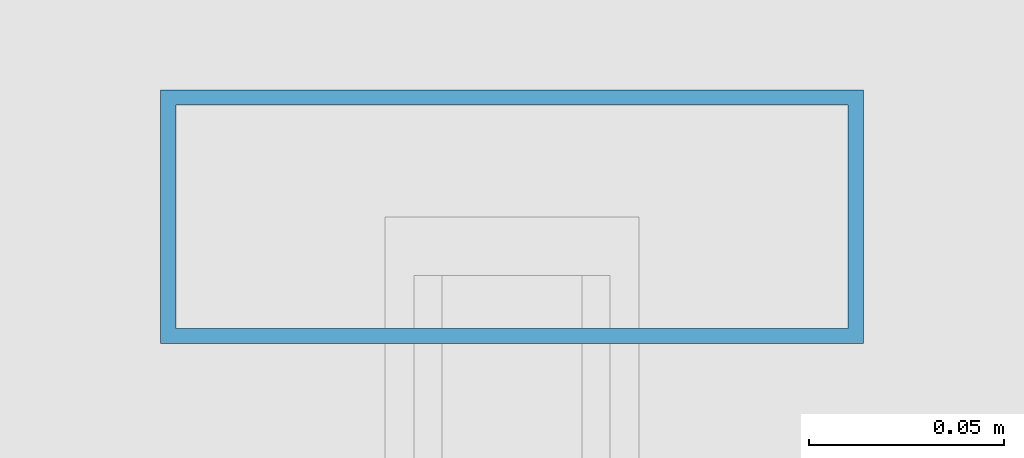
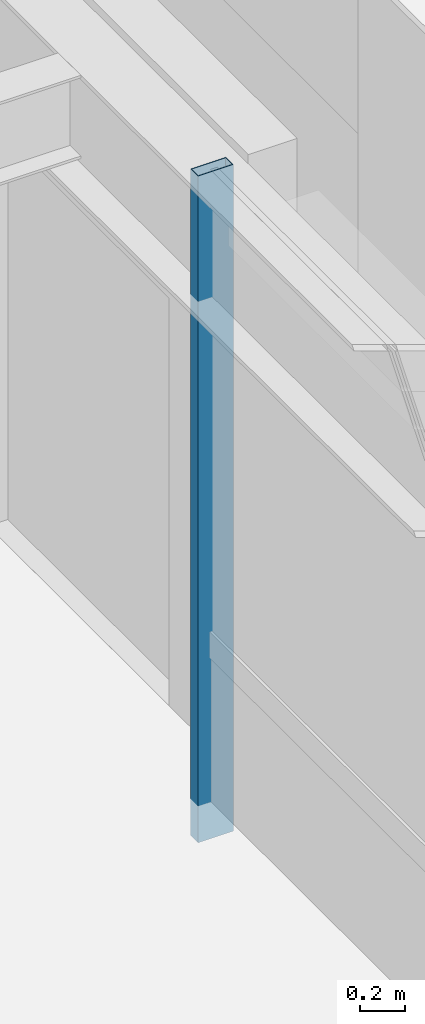
# One storey, part 14 of 31: 1 member, 1 element without a shape of its own.
"""IFC4 building model written with IfcOpenShell, lengths in metres."""

import ifcopenshell
import ifcopenshell.guid

model = None  # the IFC model being written
_history = None  # IfcOwnerHistory: only IFC2X3 demands one
_inside = {}  # id of a spatial element -> (the spatial element, [elements in it])
_under = {}  # id of a project, library or spatial element -> (it, [spatial elements below it])
_declared = {}  # id of a project -> (the project, [libraries it declares])
_typed = {}  # id of a type object -> (the type object, [elements of that type])
_made_of = {}  # id of a material, layer set ... -> (it, [elements and type objects made of it])


def new_model(schema):
    """Start an empty IFC model of exactly this schema.

    Asked for "IFC4X3", IfcOpenShell would pick the latest addendum, in which some entities
    have other attributes; the version numbers below select the first issue.
    IFC2X3 requires an IfcOwnerHistory on every rooted entity: one is made here for all.
    """
    global model, _history
    if schema == "IFC4X3":
        model = ifcopenshell.file(schema_version=(4, 3, 0, 0))
    else:
        model = ifcopenshell.file(schema=schema)
    _inside.clear()
    _under.clear()
    _declared.clear()
    _typed.clear()
    _made_of.clear()
    _history = None
    if model.schema == "IFC2X3":
        org = make("IfcOrganization", Name="unknown")
        user = make(
            "IfcPersonAndOrganization",
            ThePerson=make("IfcPerson", FamilyName="unknown"),
            TheOrganization=org,
        )
        app = make(
            "IfcApplication",
            ApplicationDeveloper=org,
            Version="unknown",
            ApplicationFullName="unknown",
            ApplicationIdentifier="unknown",
        )
        _history = make(
            "IfcOwnerHistory",
            OwningUser=user,
            OwningApplication=app,
            ChangeAction="ADDED",
            CreationDate=0,
        )
    return model


def make(cls, **values):
    """One entity of the class cls with the attributes given. An attribute that is None is left unset."""
    return model.create_entity(
        cls, **{name: value for name, value in values.items() if value is not None}
    )


def rooted(cls, **values):
    """An entity with a GlobalId (a new one), such as an element, a storey or a relation."""
    return make(cls, GlobalId=ifcopenshell.guid.new(), OwnerHistory=_history, **values)


def si_unit(unit_type, name, prefix=None):
    """IfcSIUnit, for example si_unit("LENGTHUNIT", "METRE", prefix="MILLI")."""
    return make("IfcSIUnit", UnitType=unit_type, Prefix=prefix, Name=name)


def assignment(units):
    """IfcUnitAssignment: the units of a project."""
    return None if units is None else make("IfcUnitAssignment", Units=units)


def point(xyz):
    """IfcCartesianPoint."""
    return None if xyz is None else make("IfcCartesianPoint", Coordinates=xyz)


def direction(xyz):
    """IfcDirection."""
    return None if xyz is None else make("IfcDirection", DirectionRatios=xyz)


def frame(location, z_axis=None, x_axis=None):
    """IfcAxis2Placement3D, a coordinate frame: its origin and axes. An axis left out is left unset."""
    return make(
        "IfcAxis2Placement3D",
        Location=point(location),
        Axis=direction(z_axis),
        RefDirection=direction(x_axis),
    )


def frame_2d(location, x_axis=None):
    """IfcAxis2Placement2D, a coordinate frame in the plane: its origin and x axis."""
    return make(
        "IfcAxis2Placement2D", Location=point(location), RefDirection=direction(x_axis)
    )


def origin():
    """The frame at (0, 0, 0) with its axes left unset."""
    return frame((0.0, 0.0, 0.0))


def origin_2d():
    """The frame at (0, 0) in the plane with its x axis left unset."""
    return frame_2d((0.0, 0.0))


def place(relative_to, where):
    """IfcLocalPlacement: puts the frame where relative to a parent placement (None: the world)."""
    return make(
        "IfcLocalPlacement", PlacementRelTo=relative_to, RelativePlacement=where
    )


def context(
    kind, dimensions, precision=None, world=None, true_north=None, identifier=None
):
    """IfcGeometricRepresentationContext, for example the 3D "Model" context."""
    return make(
        "IfcGeometricRepresentationContext",
        ContextIdentifier=identifier,
        ContextType=kind,
        CoordinateSpaceDimension=dimensions,
        Precision=precision,
        WorldCoordinateSystem=world,
        TrueNorth=true_north,
    )


def subcontext(parent, identifier, kind, view, scale=None):
    """IfcGeometricRepresentationSubContext, for example "Body" below "Model"."""
    return make(
        "IfcGeometricRepresentationSubContext",
        ContextIdentifier=identifier,
        ContextType=kind,
        ParentContext=parent,
        TargetScale=scale,
        TargetView=view,
    )


def project(units=None, contexts=None):
    """IfcProject with its units and contexts."""
    return rooted(
        "IfcProject",
        Name="project",
        RepresentationContexts=contexts,
        UnitsInContext=assignment(units),
    )


def spatial(cls, under=None, at=None, **own):
    """A site, building, storey or space (cls), placed at a placement, below another one or the project."""
    s = rooted(cls, ObjectPlacement=at, **own)
    if under is not None:
        _under.setdefault(under.id(), (under, []))[1].append(s)
    return s


def profile(cls, at=None, kind="AREA", **sizes):
    """A parametric profile (cls). Its sizes go by their IFC names, for example OverallWidth=200.0."""
    return make(cls, ProfileType=kind, Position=at, **sizes)


def hollow_rectangle(**sizes):
    """IfcRectangleHollowProfileDef."""
    return profile("IfcRectangleHollowProfileDef", **sizes)


def extrude(swept, where, along, depth):
    """IfcExtrudedAreaSolid: the profile swept, set in the frame where, extruded along a direction by depth."""
    return make(
        "IfcExtrudedAreaSolid",
        SweptArea=swept,
        Position=where,
        ExtrudedDirection=direction(along),
        Depth=depth,
    )


def shape(context_of_items, identifier, shape_type, items):
    """IfcShapeRepresentation: the items that make up one representation, for example the "Body"."""
    return make(
        "IfcShapeRepresentation",
        ContextOfItems=context_of_items,
        RepresentationIdentifier=identifier,
        RepresentationType=shape_type,
        Items=items,
    )


def material(Name=None, Category=None):
    """IfcMaterial."""
    return make("IfcMaterial", Name=Name, Category=Category)


def layer(
    of_material, thickness, ventilated=None, Name=None, Category=None, Priority=None
):
    """IfcMaterialLayer: one layer of a wall or slab, of a material (None: an air gap)."""
    return make(
        "IfcMaterialLayer",
        Material=of_material,
        LayerThickness=thickness,
        IsVentilated=ventilated,
        Name=Name,
        Category=Category,
        Priority=Priority,
    )


def layer_set(layers, Name=None):
    """IfcMaterialLayerSet."""
    return make("IfcMaterialLayerSet", MaterialLayers=layers, LayerSetName=Name)


def material_profile(
    of_material, cross_section, Name=None, Category=None, Priority=None
):
    """IfcMaterialProfile: a cross section and its material."""
    return make(
        "IfcMaterialProfile",
        Name=Name,
        Material=of_material,
        Profile=cross_section,
        Priority=Priority,
        Category=Category,
    )


def profile_set(profiles, Name=None, composite=None):
    """IfcMaterialProfileSet."""
    return make(
        "IfcMaterialProfileSet",
        Name=Name,
        MaterialProfiles=profiles,
        CompositeProfile=composite,
    )


def made_of(thing, what):
    """Note that an element or type object is made of a material, layer set ...; save() writes the relation."""
    if what is not None:
        _made_of.setdefault(what.id(), (what, []))[1].append(thing)
    return thing


def type_object(cls, material=None, **own):
    """A type object (cls), such as IfcWallType, which elements share."""
    return made_of(rooted(cls, **own), material)


def element(
    cls,
    number,
    at=None,
    inside=None,
    cuts=None,
    type_object=None,
    material=None,
    context=None,
    identifier="Body",
    shape_type=None,
    held_by="IfcProductDefinitionShape",
    body=None,
    shapes=None,
    **own,
):
    """One element of the class cls, such as IfcWall. Its Tag is "e" and its number.

    at: its placement. inside: the storey or other place that contains it. cuts: it is an
    opening in that element (IfcRelVoidsElement). A single representation is given by context,
    identifier, shape_type and body (its items); several are given by shapes. held_by: the class
    of the entity that holds the representations. save() writes the other relations.
    """
    e = rooted(cls, Tag="e%d" % number, ObjectPlacement=at, **own)
    if body is not None:
        shapes = [shape(context, identifier, shape_type, body)]
    if shapes is not None:
        e.Representation = make(held_by, Representations=shapes)
    if inside is not None:
        _inside.setdefault(inside.id(), (inside, []))[1].append(e)
    if cuts is not None:
        rooted(
            "IfcRelVoidsElement", RelatingBuildingElement=cuts, RelatedOpeningElement=e
        )
    if type_object is not None:
        _typed.setdefault(type_object.id(), (type_object, []))[1].append(e)
    return made_of(e, material)


def aggregate(whole, parts):
    """IfcRelAggregates: a whole, such as a stair, and the parts it consists of."""
    return rooted("IfcRelAggregates", RelatingObject=whole, RelatedObjects=parts)


def save(model, path):
    """Write the relations noted so far, then the file.

    IfcRelAggregates (storeys below a building ...), IfcRelContainedInSpatialStructure (elements
    in a storey), IfcRelDefinesByType, IfcRelAssociatesMaterial and IfcRelDeclares: one each for
    every whole, place, type object, material and project.
    """
    for whole, parts in _under.values():
        aggregate(whole, parts)
    for where, things in _inside.values():
        rooted(
            "IfcRelContainedInSpatialStructure",
            RelatedElements=things,
            RelatingStructure=where,
        )
    for kind, things in _typed.values():
        rooted("IfcRelDefinesByType", RelatedObjects=things, RelatingType=kind)
    for what, things in _made_of.values():
        rooted("IfcRelAssociatesMaterial", RelatedObjects=things, RelatingMaterial=what)
    for by, libraries in _declared.values():
        rooted("IfcRelDeclares", RelatingContext=by, RelatedDefinitions=libraries)
    model.write(path)


model = new_model("IFC4")

# Units and contexts
model_context = context("Model", 3, precision=1e-05, world=origin(), true_north=direction((0.0, 1.0)))
body_context = subcontext(model_context, "Body", "Model", "MODEL_VIEW")
ifc_project = project(units=[si_unit("LENGTHUNIT", "METRE"), si_unit("AREAUNIT", "SQUARE_METRE"), si_unit("VOLUMEUNIT", "CUBIC_METRE"), si_unit("PLANEANGLEUNIT", "RADIAN"), si_unit("MASSUNIT", "GRAM", prefix="KILO")], contexts=[model_context])

# Site, building, storey
site_placement = place(None, origin())
site = spatial("IfcSite", under=ifc_project, at=site_placement, CompositionType="ELEMENT")
building_placement = place(site_placement, origin())
building = spatial("IfcBuilding", under=site, at=building_placement, Name="Brelmoor Portico Tower", CompositionType="ELEMENT")
storey_placement = place(building_placement, frame((0.0, 0.0, 38.39990234375)))
storey = spatial("IfcBuildingStorey", under=building, at=storey_placement, Name="L09", CompositionType="ELEMENT", Elevation=38.39990234375)

# Curtain wall, member
ifc_material = material(Name="Anodised Aluminium Alloy 6063-T6", Category="aluminium")
ifc_layer = layer(ifc_material, 0.179931640625)
ifc_layer_set = layer_set([ifc_layer], Name="Anodised Aluminium Alloy 6063-T6")
curtain_wall_type = type_object("IfcCurtainWallType", Name="CW-TOWER-Z1", PredefinedType="NOTDEFINED", material=ifc_layer_set)
curtain_wall_placement = place(storey_placement, origin())
curtain_wall = element("IfcCurtainWall", 1, at=curtain_wall_placement, inside=storey, type_object=curtain_wall_type, Name="L09 Curtain Wall CW-L09-4L-2", PredefinedType="NOTDEFINED")
ifc_material_profile = material_profile(ifc_material, hollow_rectangle(XDim=0.06494140625, YDim=0.179931640625, WallThickness=0.00390625, at=origin_2d()), Name="ALU MULLION 65x180")
ifc_profile_set = profile_set([ifc_material_profile], Name="Anodised Aluminium Alloy 6063-T6")
member_type = type_object("IfcMemberType", Name="MB-CW-MULL-180", PredefinedType="MULLION", material=ifc_profile_set)
member_placement = place(storey_placement, frame((24.550048828125, 5.5, -0.199951171875), z_axis=(0.0, 0.0, 1.0), x_axis=(0.0, 1.0, 0.0)))
member = element("IfcMember", 2, at=member_placement, type_object=member_type, Name="CW-L09-4L-2 Mullion 01", PredefinedType="MULLION", context=body_context, shape_type="SweptSolid", body=[
    extrude(hollow_rectangle(XDim=0.06494140625, YDim=0.179931640625, WallThickness=0.00390625, at=origin_2d()), origin(), (0.0, 0.0, 1.0), 3.60009765625),
])
aggregate(curtain_wall, [member])

save(model, "model.ifc")
